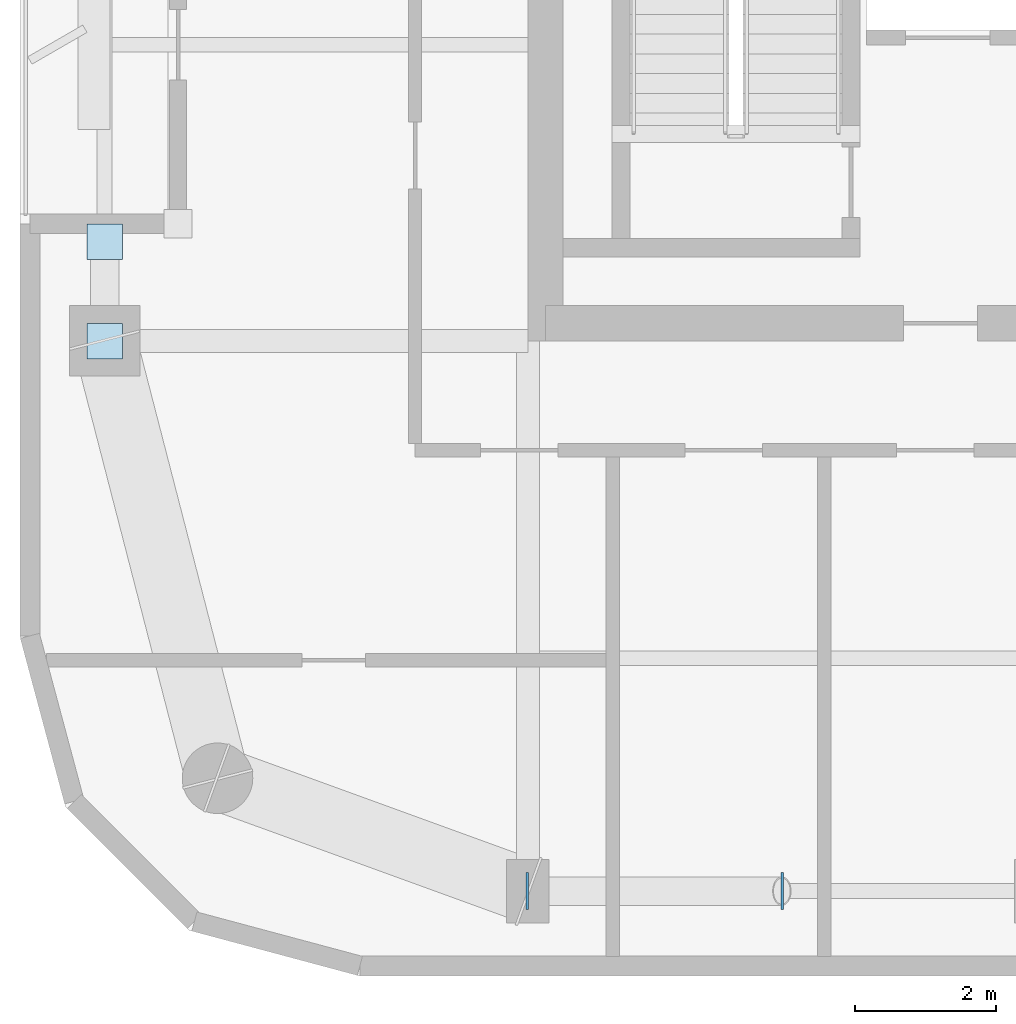
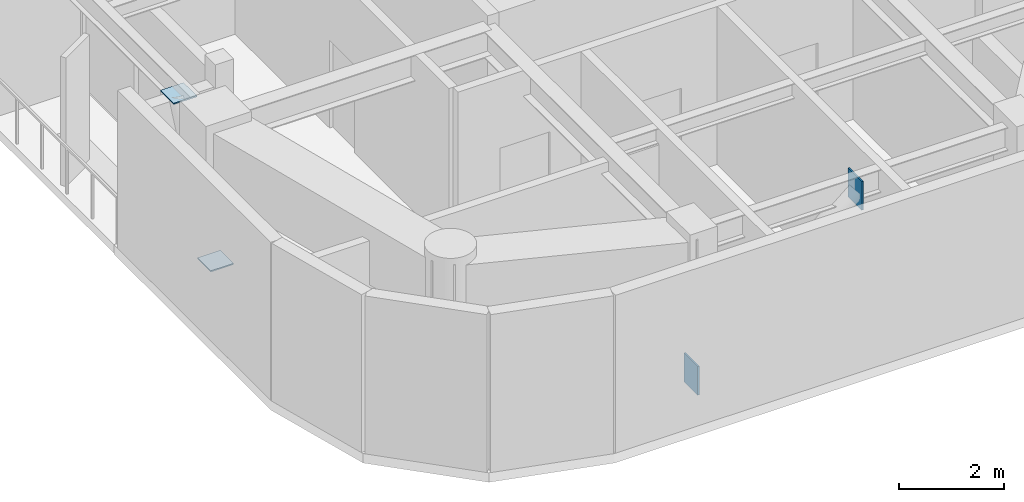
# One storey, part 8 of 16: 4 plates.
"""IFC4 building model written with IfcOpenShell, lengths in metres."""

import ifcopenshell
import ifcopenshell.guid

model = None  # the IFC model being written
_history = None  # IfcOwnerHistory: only IFC2X3 demands one
_inside = {}  # id of a spatial element -> (the spatial element, [elements in it])
_under = {}  # id of a project, library or spatial element -> (it, [spatial elements below it])
_declared = {}  # id of a project -> (the project, [libraries it declares])
_typed = {}  # id of a type object -> (the type object, [elements of that type])
_made_of = {}  # id of a material, layer set ... -> (it, [elements and type objects made of it])


def new_model(schema):
    """Start an empty IFC model of exactly this schema.

    Asked for "IFC4X3", IfcOpenShell would pick the latest addendum, in which some entities
    have other attributes; the version numbers below select the first issue.
    IFC2X3 requires an IfcOwnerHistory on every rooted entity: one is made here for all.
    """
    global model, _history
    if schema == "IFC4X3":
        model = ifcopenshell.file(schema_version=(4, 3, 0, 0))
    else:
        model = ifcopenshell.file(schema=schema)
    _inside.clear()
    _under.clear()
    _declared.clear()
    _typed.clear()
    _made_of.clear()
    _history = None
    if model.schema == "IFC2X3":
        org = make("IfcOrganization", Name="unknown")
        user = make(
            "IfcPersonAndOrganization",
            ThePerson=make("IfcPerson", FamilyName="unknown"),
            TheOrganization=org,
        )
        app = make(
            "IfcApplication",
            ApplicationDeveloper=org,
            Version="unknown",
            ApplicationFullName="unknown",
            ApplicationIdentifier="unknown",
        )
        _history = make(
            "IfcOwnerHistory",
            OwningUser=user,
            OwningApplication=app,
            ChangeAction="ADDED",
            CreationDate=0,
        )
    return model


def make(cls, **values):
    """One entity of the class cls with the attributes given. An attribute that is None is left unset."""
    return model.create_entity(
        cls, **{name: value for name, value in values.items() if value is not None}
    )


def rooted(cls, **values):
    """An entity with a GlobalId (a new one), such as an element, a storey or a relation."""
    return make(cls, GlobalId=ifcopenshell.guid.new(), OwnerHistory=_history, **values)


def si_unit(unit_type, name, prefix=None):
    """IfcSIUnit, for example si_unit("LENGTHUNIT", "METRE", prefix="MILLI")."""
    return make("IfcSIUnit", UnitType=unit_type, Prefix=prefix, Name=name)


def assignment(units):
    """IfcUnitAssignment: the units of a project."""
    return None if units is None else make("IfcUnitAssignment", Units=units)


def point(xyz):
    """IfcCartesianPoint."""
    return None if xyz is None else make("IfcCartesianPoint", Coordinates=xyz)


def direction(xyz):
    """IfcDirection."""
    return None if xyz is None else make("IfcDirection", DirectionRatios=xyz)


def frame(location, z_axis=None, x_axis=None):
    """IfcAxis2Placement3D, a coordinate frame: its origin and axes. An axis left out is left unset."""
    return make(
        "IfcAxis2Placement3D",
        Location=point(location),
        Axis=direction(z_axis),
        RefDirection=direction(x_axis),
    )


def frame_2d(location, x_axis=None):
    """IfcAxis2Placement2D, a coordinate frame in the plane: its origin and x axis."""
    return make(
        "IfcAxis2Placement2D", Location=point(location), RefDirection=direction(x_axis)
    )


def origin():
    """The frame at (0, 0, 0) with its axes left unset."""
    return frame((0.0, 0.0, 0.0))


def origin_2d():
    """The frame at (0, 0) in the plane with its x axis left unset."""
    return frame_2d((0.0, 0.0))


def place(relative_to, where):
    """IfcLocalPlacement: puts the frame where relative to a parent placement (None: the world)."""
    return make(
        "IfcLocalPlacement", PlacementRelTo=relative_to, RelativePlacement=where
    )


def context(
    kind, dimensions, precision=None, world=None, true_north=None, identifier=None
):
    """IfcGeometricRepresentationContext, for example the 3D "Model" context."""
    return make(
        "IfcGeometricRepresentationContext",
        ContextIdentifier=identifier,
        ContextType=kind,
        CoordinateSpaceDimension=dimensions,
        Precision=precision,
        WorldCoordinateSystem=world,
        TrueNorth=true_north,
    )


def subcontext(parent, identifier, kind, view, scale=None):
    """IfcGeometricRepresentationSubContext, for example "Body" below "Model"."""
    return make(
        "IfcGeometricRepresentationSubContext",
        ContextIdentifier=identifier,
        ContextType=kind,
        ParentContext=parent,
        TargetScale=scale,
        TargetView=view,
    )


def project(units=None, contexts=None):
    """IfcProject with its units and contexts."""
    return rooted(
        "IfcProject",
        Name="project",
        RepresentationContexts=contexts,
        UnitsInContext=assignment(units),
    )


def spatial(cls, under=None, at=None, **own):
    """A site, building, storey or space (cls), placed at a placement, below another one or the project."""
    s = rooted(cls, ObjectPlacement=at, **own)
    if under is not None:
        _under.setdefault(under.id(), (under, []))[1].append(s)
    return s


def profile(cls, at=None, kind="AREA", **sizes):
    """A parametric profile (cls). Its sizes go by their IFC names, for example OverallWidth=200.0."""
    return make(cls, ProfileType=kind, Position=at, **sizes)


def rectangle(**sizes):
    """IfcRectangleProfileDef."""
    return profile("IfcRectangleProfileDef", **sizes)


def extrude(swept, where, along, depth):
    """IfcExtrudedAreaSolid: the profile swept, set in the frame where, extruded along a direction by depth."""
    return make(
        "IfcExtrudedAreaSolid",
        SweptArea=swept,
        Position=where,
        ExtrudedDirection=direction(along),
        Depth=depth,
    )


def shape(context_of_items, identifier, shape_type, items):
    """IfcShapeRepresentation: the items that make up one representation, for example the "Body"."""
    return make(
        "IfcShapeRepresentation",
        ContextOfItems=context_of_items,
        RepresentationIdentifier=identifier,
        RepresentationType=shape_type,
        Items=items,
    )


def material(Name=None, Category=None):
    """IfcMaterial."""
    return make("IfcMaterial", Name=Name, Category=Category)


def layer(
    of_material, thickness, ventilated=None, Name=None, Category=None, Priority=None
):
    """IfcMaterialLayer: one layer of a wall or slab, of a material (None: an air gap)."""
    return make(
        "IfcMaterialLayer",
        Material=of_material,
        LayerThickness=thickness,
        IsVentilated=ventilated,
        Name=Name,
        Category=Category,
        Priority=Priority,
    )


def layer_set(layers, Name=None):
    """IfcMaterialLayerSet."""
    return make("IfcMaterialLayerSet", MaterialLayers=layers, LayerSetName=Name)


def made_of(thing, what):
    """Note that an element or type object is made of a material, layer set ...; save() writes the relation."""
    if what is not None:
        _made_of.setdefault(what.id(), (what, []))[1].append(thing)
    return thing


def type_object(cls, material=None, **own):
    """A type object (cls), such as IfcWallType, which elements share."""
    return made_of(rooted(cls, **own), material)


def element(
    cls,
    number,
    at=None,
    inside=None,
    cuts=None,
    type_object=None,
    material=None,
    context=None,
    identifier="Body",
    shape_type=None,
    held_by="IfcProductDefinitionShape",
    body=None,
    shapes=None,
    **own,
):
    """One element of the class cls, such as IfcWall. Its Tag is "e" and its number.

    at: its placement. inside: the storey or other place that contains it. cuts: it is an
    opening in that element (IfcRelVoidsElement). A single representation is given by context,
    identifier, shape_type and body (its items); several are given by shapes. held_by: the class
    of the entity that holds the representations. save() writes the other relations.
    """
    e = rooted(cls, Tag="e%d" % number, ObjectPlacement=at, **own)
    if body is not None:
        shapes = [shape(context, identifier, shape_type, body)]
    if shapes is not None:
        e.Representation = make(held_by, Representations=shapes)
    if inside is not None:
        _inside.setdefault(inside.id(), (inside, []))[1].append(e)
    if cuts is not None:
        rooted(
            "IfcRelVoidsElement", RelatingBuildingElement=cuts, RelatedOpeningElement=e
        )
    if type_object is not None:
        _typed.setdefault(type_object.id(), (type_object, []))[1].append(e)
    return made_of(e, material)


def aggregate(whole, parts):
    """IfcRelAggregates: a whole, such as a stair, and the parts it consists of."""
    return rooted("IfcRelAggregates", RelatingObject=whole, RelatedObjects=parts)


def save(model, path):
    """Write the relations noted so far, then the file.

    IfcRelAggregates (storeys below a building ...), IfcRelContainedInSpatialStructure (elements
    in a storey), IfcRelDefinesByType, IfcRelAssociatesMaterial and IfcRelDeclares: one each for
    every whole, place, type object, material and project.
    """
    for whole, parts in _under.values():
        aggregate(whole, parts)
    for where, things in _inside.values():
        rooted(
            "IfcRelContainedInSpatialStructure",
            RelatedElements=things,
            RelatingStructure=where,
        )
    for kind, things in _typed.values():
        rooted("IfcRelDefinesByType", RelatedObjects=things, RelatingType=kind)
    for what, things in _made_of.values():
        rooted("IfcRelAssociatesMaterial", RelatedObjects=things, RelatingMaterial=what)
    for by, libraries in _declared.values():
        rooted("IfcRelDeclares", RelatingContext=by, RelatedDefinitions=libraries)
    model.write(path)


model = new_model("IFC4")

# Units and contexts
model_context = context("Model", 3, precision=1e-05, world=origin(), true_north=direction((0.0, 1.0)))
body_context = subcontext(model_context, "Body", "Model", "MODEL_VIEW")
ifc_project = project(units=[si_unit("LENGTHUNIT", "METRE"), si_unit("AREAUNIT", "SQUARE_METRE"), si_unit("VOLUMEUNIT", "CUBIC_METRE"), si_unit("PLANEANGLEUNIT", "RADIAN"), si_unit("MASSUNIT", "GRAM", prefix="KILO")], contexts=[model_context])

# Site, building, storey
site_placement = place(None, origin())
site = spatial("IfcSite", under=ifc_project, at=site_placement, CompositionType="ELEMENT")
building_placement = place(site_placement, origin())
building = spatial("IfcBuilding", under=site, at=building_placement, Name="Kiyonajd Concourse Tower", CompositionType="ELEMENT")
storey_placement = place(building_placement, frame((0.0, 0.0, 298.5)))
storey = spatial("IfcBuildingStorey", under=building, at=storey_placement, Name="L75", CompositionType="ELEMENT", Elevation=298.5)

# Plates
ifc_material = material(Name="Steel ASTM A572 Grade 50", Category="steel")
ifc_layer = layer(ifc_material, 0.028076171875)
ifc_layer_set = layer_set([ifc_layer], Name="Steel ASTM A572 Grade 50")
plate_type = type_object("IfcPlateType", Name="PL-CAP-450", PredefinedType="USERDEFINED", material=ifc_layer_set)
for number, where, z_axis, x_axis, name in (
    (1, (32.3916015625, 19.800048828125, -0.04248046875), (0.0, 0.0, 1.0), (-1.0, 0.0, 0.0), "L75 Hollow Brace End Cap Plate PBS"),
    (2, (36.00830078125, 19.800048828125, 3.001708984375), (0.0, 0.0, 1.0), (1.0, 0.0, 0.0), "L75 Hollow Brace Top Cap Plate PBS"),
):
    element("IfcPlate", number, at=place(storey_placement, frame(where, z_axis=z_axis, x_axis=x_axis)), inside=storey, type_object=plate_type, Name=name, ObjectType="CAP PLATE", PredefinedType="USERDEFINED", context=body_context, shape_type="SweptSolid", body=[
        extrude(rectangle(XDim=0.035888671875, YDim=0.52587890625, at=origin_2d()), origin(), (0.0, 0.0, 1.0), 0.6708984375),
    ])
for number, where, z_axis, x_axis, name in (
    (3, (26.39990234375, 27.595458984375, 0.27587890625), (0.0, 0.0, 1.0), (1.0, 0.0, 0.0), "L75 Hollow Brace End Cap Plate PBW"),
    (4, (26.39990234375, 29.004638671875, 3.326171875), (0.0, 0.0, 1.0), (1.0, 0.0, 0.0), "L75 Hollow Brace Top Cap Plate PBW"),
):
    element("IfcPlate", number, at=place(storey_placement, frame(where, z_axis=z_axis, x_axis=x_axis)), inside=storey, type_object=plate_type, Name=name, ObjectType="CAP PLATE", PredefinedType="USERDEFINED", context=body_context, shape_type="SweptSolid", body=[
        extrude(rectangle(XDim=0.506103515625, YDim=0.506103515625, at=origin_2d()), origin(), (0.0, 0.0, 1.0), 0.028076171875),
    ])

save(model, "model.ifc")
